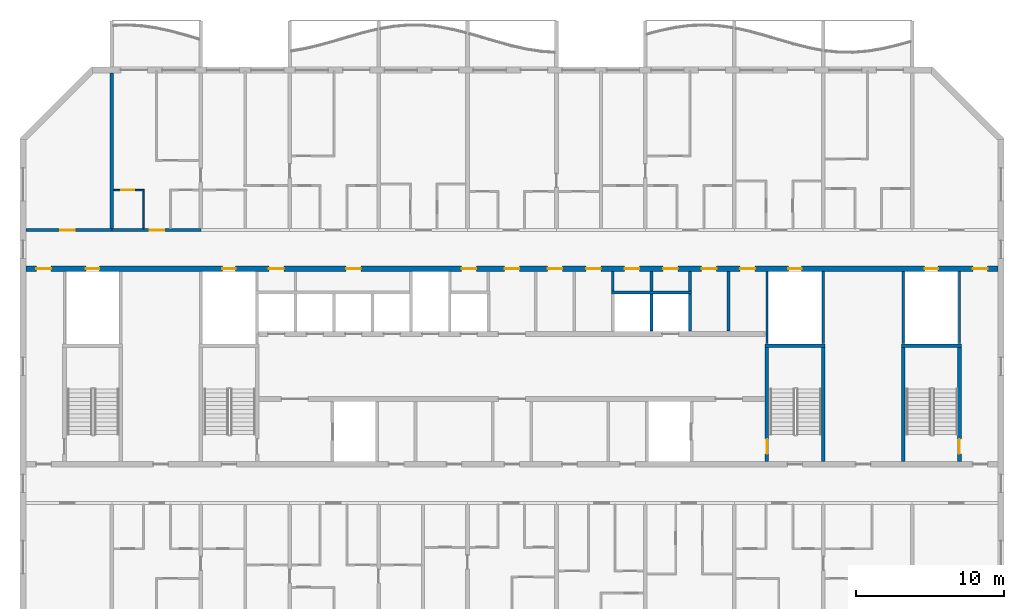
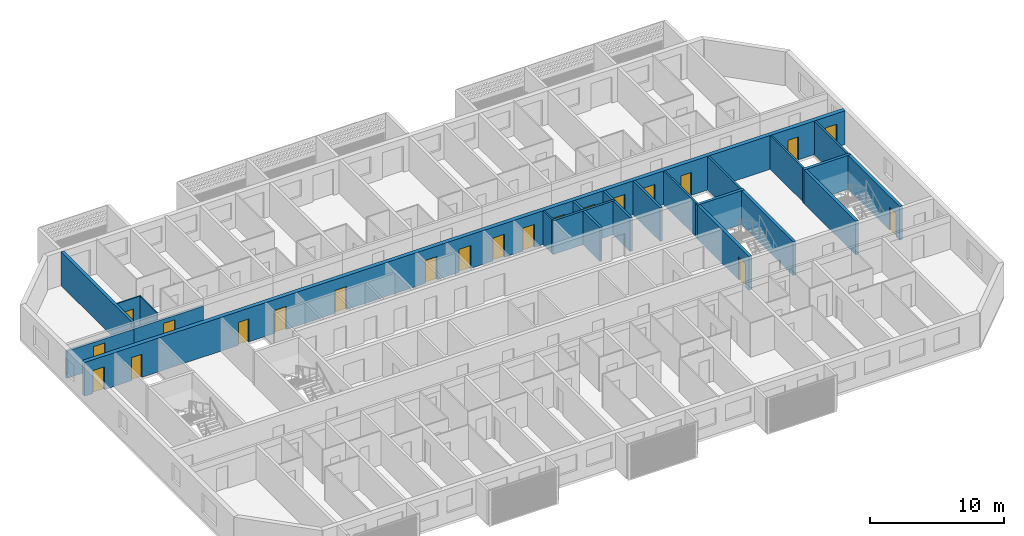
# One storey, part 7 of 29: 23 walls, 21 doors, 21 openings.
"""IFC4 building model written with IfcOpenShell, lengths in metres."""

from ifc_helpers import new_model, si_unit, direction, frame, frame_2d, origin, place, context, subcontext, project, spatial, rectangle, extrude, material, layer, layer_set, type_object, element, fill, save


model = new_model("IFC4")

# Units and contexts
model_context = context("Model", 3, precision=1e-05, world=origin(), true_north=direction((0.0, 1.0)))
body_context = subcontext(model_context, "Body", "Model", "MODEL_VIEW")
ifc_project = project(units=[si_unit("LENGTHUNIT", "METRE"), si_unit("AREAUNIT", "SQUARE_METRE"), si_unit("VOLUMEUNIT", "CUBIC_METRE"), si_unit("PLANEANGLEUNIT", "RADIAN"), si_unit("MASSUNIT", "GRAM", prefix="KILO")], contexts=[model_context])

# Site, building, storey
site_placement = place(None, origin())
site = spatial("IfcSite", under=ifc_project, at=site_placement, CompositionType="ELEMENT")
building_placement = place(site_placement, origin())
building = spatial("IfcBuilding", under=site, at=building_placement, Name="Poui Terraces", CompositionType="ELEMENT")
storey_placement = place(building_placement, frame((0.0, 0.0, 237.89990234375)))
storey = spatial("IfcBuildingStorey", under=building, at=storey_placement, Name="L66", CompositionType="ELEMENT", Elevation=237.89990234375)

# Wall, opening, door
ifc_material_1 = material(Name="Concrete 50 MPa", Category="concrete")
ifc_layer_1 = layer(ifc_material_1, 0.199951171875)
ifc_layer_set_1 = layer_set([ifc_layer_1], Name="Concrete 50 MPa")
wall_type_1 = type_object("IfcWallType", Name="CORRIDOR WALL 200 50MPa", PredefinedType="SHEAR", material=ifc_layer_set_1)
wall_1_placement = place(storey_placement, frame((18.199951171875, 30.39990234375, 0.0), z_axis=(0.0, 0.0, 1.0), x_axis=(1.0, 0.0, 0.0)))
wall_1 = element("IfcWall", 1, at=wall_1_placement, inside=storey, type_object=wall_type_1, Name="CORRIDOR WALL LINE E BAY 1", PredefinedType="SHEAR", context=body_context, shape_type="SweptSolid", body=[
    extrude(rectangle(XDim=5.800048828125, YDim=0.199951171875, at=frame_2d((2.89990234375, 0.0))), origin(), (0.0, 0.0, 1.0), 2.47998046875),
])
opening_1_placement = place(wall_1_placement, frame((2.300048828125, 0.0, 0.0)))
opening_1 = element("IfcOpeningElement", 2, at=opening_1_placement, cuts=wall_1, Name="Opening D100", PredefinedType="OPENING", context=body_context, shape_type="SweptSolid", body=[
    extrude(rectangle(XDim=1.0, YDim=2.10009765625, at=frame_2d((0.5, 1.050048828125))), frame((0.0, 0.10986328125, 0.0), z_axis=(0.0, -1.0, 0.0), x_axis=(1.0, 0.0, 0.0)), (0.0, 0.0, 1.0), 0.219970703125),
])
ifc_material_2 = material(Name="Solid core timber door", Category="wood")
door_type_1 = type_object("IfcDoorType", Name="ACCESSIBLE INTERNAL DOOR 1000 X 2100", OperationType="NOTDEFINED", PredefinedType="DOOR", material=ifc_material_2)
door_1_placement = place(opening_1_placement, origin())
door_1 = element("IfcDoor", 3, at=door_1_placement, inside=storey, type_object=door_type_1, Name="ACCESSIBLE INTERNAL DOOR 028", OperationType="SINGLE_SWING_LEFT", OverallHeight=2.10009765625, OverallWidth=1.0, PredefinedType="DOOR", context=body_context, shape_type="SweptSolid", body=[
    extrude(rectangle(XDim=1.0, YDim=2.10009765625, at=frame_2d((0.5, 1.050048828125))), frame((0.0, 0.02490234375, 0.0), z_axis=(0.0, -1.0, 0.0), x_axis=(1.0, 0.0, 0.0)), (0.0, 0.0, 1.0), 0.050048828125),
])
fill(opening_1, door_1)

wall_2_placement = place(storey_placement, frame((24.0, 30.39990234375, 0.0), z_axis=(0.0, 0.0, 1.0), x_axis=(1.0, 0.0, 0.0)))
wall_2 = element("IfcWall", 4, at=wall_2_placement, inside=storey, type_object=wall_type_1, Name="CORRIDOR WALL LINE E BAY 2", PredefinedType="SHEAR", context=body_context, shape_type="SweptSolid", body=[
    extrude(rectangle(XDim=6.0, YDim=0.199951171875, at=frame_2d((3.0, 0.0))), origin(), (0.0, 0.0, 1.0), 2.47998046875),
])
opening_2_placement = place(wall_2_placement, frame((2.550048828125, 0.0, 0.0)))
opening_2 = element("IfcOpeningElement", 5, at=opening_2_placement, cuts=wall_2, Name="Opening FD30S", PredefinedType="OPENING", context=body_context, shape_type="SweptSolid", body=[
    extrude(rectangle(XDim=1.0, YDim=2.10009765625, at=frame_2d((0.5, 1.050048828125))), frame((0.0, 0.10986328125, 0.0), z_axis=(0.0, -1.0, 0.0), x_axis=(1.0, 0.0, 0.0)), (0.0, 0.0, 1.0), 0.219970703125),
])
ifc_material_3 = material(Name="Steel fire door", Category="steel")
door_type_2 = type_object("IfcDoorType", Name="FLAT ENTRANCE DOOR 1000 X 2100", OperationType="NOTDEFINED", PredefinedType="DOOR", material=ifc_material_3)
door_2_placement = place(opening_2_placement, origin())
door_2 = element("IfcDoor", 6, at=door_2_placement, inside=storey, type_object=door_type_2, Name="FLAT ENTRANCE DOOR 031", OperationType="SINGLE_SWING_RIGHT", OverallHeight=2.10009765625, OverallWidth=1.0, PredefinedType="DOOR", context=body_context, shape_type="SweptSolid", body=[
    extrude(rectangle(XDim=1.0, YDim=2.10009765625, at=frame_2d((0.5, 1.050048828125))), frame((0.0, 0.02490234375, 0.0), z_axis=(0.0, -1.0, 0.0), x_axis=(1.0, 0.0, 0.0)), (0.0, 0.0, 1.0), 0.050048828125),
])
fill(opening_2, door_2)

# Wall
ifc_layer_2 = layer(ifc_material_1, 0.25)
ifc_layer_set_2 = layer_set([ifc_layer_2], Name="Concrete 50 MPa")
wall_type_2 = type_object("IfcWallType", Name="CROSS WALL 250 50MPa", PredefinedType="SHEAR", material=ifc_layer_set_2)
wall_3_placement = place(storey_placement, frame((24.0, 30.5, 0.0), z_axis=(0.0, 0.0, 1.0), x_axis=(0.0, 1.0, 0.0)))
element("IfcWall", 7, at=wall_3_placement, inside=storey, type_object=wall_type_2, Name="CROSS WALL LINE 5 NORTH", PredefinedType="SHEAR", context=body_context, shape_type="SweptSolid", body=[
    extrude(rectangle(XDim=10.5, YDim=0.25, at=frame_2d((5.25, 0.0))), origin(), (0.0, 0.0, 1.0), 3.080078125),
])

# Wall, opening, door
ifc_material_4 = material(Name="Plasterboard partition")
ifc_layer_3 = layer(ifc_material_4, 0.10009765625)
ifc_layer_set_3 = layer_set([ifc_layer_3], Name="Plasterboard partition")
wall_type_3 = type_object("IfcWallType", Name="FLAT PARTITION 100", PredefinedType="PARTITIONING", material=ifc_layer_set_3)
wall_4_placement = place(storey_placement, frame((24.135009765625, 33.10009765625, 0.0), z_axis=(0.0, 0.0, 1.0), x_axis=(1.0, 0.0, 0.0)))
wall_4 = element("IfcWall", 8, at=wall_4_placement, inside=storey, type_object=wall_type_3, Name="FLAT PARTITION 100", PredefinedType="PARTITIONING", context=body_context, shape_type="SweptSolid", body=[
    extrude(rectangle(XDim=2.06494140625, YDim=0.10009765625, at=frame_2d((1.032470703125, 0.0))), origin(), (0.0, 0.0, 1.0), 3.080078125),
])
opening_3_placement = place(wall_4_placement, frame((0.489990234375, 0.0, 0.0)))
opening_3 = element("IfcOpeningElement", 9, at=opening_3_placement, cuts=wall_4, Name="Opening D90", PredefinedType="OPENING", context=body_context, shape_type="SweptSolid", body=[
    extrude(rectangle(XDim=0.89990234375, YDim=2.10009765625, at=frame_2d((0.449951171875, 1.050048828125))), frame((0.0, 0.06005859375, 0.0), z_axis=(0.0, -1.0, 0.0), x_axis=(1.0, 0.0, 0.0)), (0.0, 0.0, 1.0), 0.1201171875),
])
door_type_3 = type_object("IfcDoorType", Name="INTERNAL DOOR 900 X 2100", OperationType="NOTDEFINED", PredefinedType="DOOR", material=ifc_material_2)
door_3_placement = place(opening_3_placement, frame((0.89990234375, 0.0, 0.0), z_axis=(0.0, 0.0, 1.0), x_axis=(-1.0, 0.0, 0.0)))
door_3 = element("IfcDoor", 10, at=door_3_placement, inside=storey, type_object=door_type_3, Name="INTERNAL DOOR 030", OperationType="SINGLE_SWING_LEFT", OverallHeight=2.10009765625, OverallWidth=0.89990234375, PredefinedType="DOOR", context=body_context, shape_type="SweptSolid", body=[
    extrude(rectangle(XDim=0.89990234375, YDim=2.10009765625, at=frame_2d((0.449951171875, 1.050048828125))), frame((0.0, 0.02490234375, 0.0), z_axis=(0.0, -1.0, 0.0), x_axis=(1.0, 0.0, 0.0)), (0.0, 0.0, 1.0), 0.050048828125),
])
fill(opening_3, door_3)

# Walls
wall_5_placement = place(storey_placement, frame((26.14990234375, 30.510009765625, 0.0), z_axis=(0.0, 0.0, 1.0), x_axis=(0.0, 1.0, 0.0)))
element("IfcWall", 11, at=wall_5_placement, inside=storey, type_object=wall_type_3, Name="FLAT PARTITION 100", PredefinedType="PARTITIONING", context=body_context, shape_type="SweptSolid", body=[
    extrude(rectangle(XDim=2.5400390625, YDim=0.10009765625, at=frame_2d((1.27001953125, 0.0))), origin(), (0.0, 0.0, 1.0), 3.080078125),
])
ifc_layer_4 = layer(ifc_material_4, 0.14990234375)
ifc_layer_set_4 = layer_set([ifc_layer_4], Name="Plasterboard partition")
wall_type_4 = type_object("IfcWallType", Name="PARTITION WALL 150", PredefinedType="PARTITIONING", material=ifc_layer_set_4)
wall_6_placement = place(storey_placement, frame((57.800048828125, 26.300048828125, 0.0), z_axis=(0.0, 0.0, 1.0), x_axis=(0.0, 1.0, 0.0)))
element("IfcWall", 12, at=wall_6_placement, inside=storey, type_object=wall_type_4, Name="PARTITION WALL 150", PredefinedType="PARTITIONING", context=body_context, shape_type="SweptSolid", body=[
    extrude(rectangle(XDim=1.31494140625, YDim=0.14990234375, at=frame_2d((0.657470703125, 0.0))), origin(), (0.0, 0.0, 1.0), 3.080078125),
])
ifc_material_5 = material(Name="Fire-rated masonry wall", Category="masonry")
ifc_layer_5 = layer(ifc_material_5, 0.199951171875)
ifc_layer_set_5 = layer_set([ifc_layer_5], Name="Fire-rated masonry wall")
wall_type_5 = type_object("IfcWallType", Name="PLANT ROOM WALL 200", PredefinedType="PARTITIONING", material=ifc_layer_set_5)
for number, where, z_axis, x_axis, name in (
    (13, (60.39990234375, 26.300048828125, 0.0), (0.0, 0.0, 1.0), (0.0, 1.0, 0.0), "PLANT ROOM WALL 200"),
    (14, (63.0, 26.300048828125, 0.0), (0.0, 0.0, 1.0), (0.0, 1.0, 0.0), "PLANT ROOM WALL 200"),
):
    element("IfcWall", number, at=place(storey_placement, frame(where, z_axis=z_axis, x_axis=x_axis)), inside=storey, type_object=wall_type_5, Name=name, PredefinedType="PARTITIONING", context=body_context, shape_type="SweptSolid", body=[
        extrude(rectangle(XDim=1.31494140625, YDim=0.199951171875, at=frame_2d((0.657470703125, 0.0))), origin(), (0.0, 0.0, 1.0), 3.080078125),
    ])
wall_7_placement = place(storey_placement, frame((65.60009765625, 23.5849609375, 0.0), z_axis=(0.0, 0.0, 1.0), x_axis=(0.0, 1.0, 0.0)))
element("IfcWall", 15, at=wall_7_placement, inside=storey, type_object=wall_type_5, Name="PLANT ROOM WALL 200", PredefinedType="PARTITIONING", context=body_context, shape_type="SweptSolid", body=[
    extrude(rectangle(XDim=4.030029296875, YDim=0.199951171875, at=frame_2d((2.01513671875, 0.0))), origin(), (0.0, 0.0, 1.0), 3.080078125),
])
ifc_material_6 = material(Name="Fire-rated plasterboard riser wall")
ifc_layer_6 = layer(ifc_material_6, 0.14990234375)
ifc_layer_set_6 = layer_set([ifc_layer_6], Name="Fire-rated plasterboard riser wall")
wall_type_6 = type_object("IfcWallType", Name="RISER WALL 150", PredefinedType="PARTITIONING", material=ifc_layer_set_6)
for number, where, z_axis, x_axis, name in (
    (16, (68.199951171875, 22.735107421875, 0.0), (0.0, 0.0, 1.0), (0.0, 1.0, 0.0), "RISER WALL 150"),
    (17, (72.0, 22.735107421875, 0.0), (0.0, 0.0, 1.0), (0.0, 1.0, 0.0), "RISER WALL 150"),
    (18, (77.39990234375, 22.735107421875, 0.0), (0.0, 0.0, 1.0), (0.0, 1.0, 0.0), "RISER WALL 150"),
    (19, (81.199951171875, 22.735107421875, 0.0), (0.0, 0.0, 1.0), (0.0, 1.0, 0.0), "RISER WALL 150"),
):
    element("IfcWall", number, at=place(storey_placement, frame(where, z_axis=z_axis, x_axis=x_axis)), inside=storey, type_object=wall_type_6, Name=name, PredefinedType="PARTITIONING", context=body_context, shape_type="SweptSolid", body=[
        extrude(rectangle(XDim=4.8798828125, YDim=0.14990234375, at=frame_2d((2.43994140625, 0.0))), origin(), (0.0, 0.0, 1.0), 3.080078125),
    ])
ifc_material_7 = material(Name="Fire-rated masonry shaft wall", Category="masonry")
ifc_layer_7 = layer(ifc_material_7, 0.199951171875)
ifc_layer_set_7 = layer_set([ifc_layer_7], Name="Fire-rated masonry shaft wall")
wall_type_7 = type_object("IfcWallType", Name="SHAFT WALL 200", PredefinedType="PARTITIONING", material=ifc_layer_set_7)
wall_8_placement = place(storey_placement, frame((57.699951171875, 26.199951171875, 0.0), z_axis=(0.0, 0.0, 1.0), x_axis=(1.0, 0.0, 0.0)))
element("IfcWall", 20, at=wall_8_placement, inside=storey, type_object=wall_type_7, Name="SHAFT WALL 200", PredefinedType="PARTITIONING", context=body_context, shape_type="SweptSolid", body=[
    extrude(rectangle(XDim=5.400146484375, YDim=0.199951171875, at=frame_2d((2.7001953125, 0.0))), origin(), (0.0, 0.0, 1.0), 3.080078125),
])
for number, where, z_axis, x_axis, name in (
    (21, (60.39990234375, 23.5849609375, 0.0), (0.0, 0.0, 1.0), (0.0, 1.0, 0.0), "SHAFT WALL 200"),
    (22, (63.0, 23.5849609375, 0.0), (0.0, 0.0, 1.0), (0.0, 1.0, 0.0), "SHAFT WALL 200"),
):
    element("IfcWall", number, at=place(storey_placement, frame(where, z_axis=z_axis, x_axis=x_axis)), inside=storey, type_object=wall_type_7, Name=name, PredefinedType="PARTITIONING", context=body_context, shape_type="SweptSolid", body=[
        extrude(rectangle(XDim=2.51513671875, YDim=0.199951171875, at=frame_2d((1.257568359375, 0.0))), origin(), (0.0, 0.0, 1.0), 3.080078125),
    ])

# Wall, openings, doors
ifc_layer_8 = layer(ifc_material_1, 0.35009765625)
ifc_layer_set_8 = layer_set([ifc_layer_8], Name="Concrete 50 MPa")
wall_type_8 = type_object("IfcWallType", Name="SPINE WALL 350 50 MPA", PredefinedType="SOLIDWALL", material=ifc_layer_set_8)
wall_9_placement = place(storey_placement, frame((18.199951171875, 27.800048828125, 0.0), z_axis=(0.0, 0.0, 1.0), x_axis=(1.0, 0.0, 0.0)))
wall_9 = element("IfcWall", 23, at=wall_9_placement, inside=storey, type_object=wall_type_8, Name="SPINE WALL", PredefinedType="SOLIDWALL", context=body_context, shape_type="SweptSolid", body=[
    extrude(rectangle(XDim=65.60009765625, YDim=0.35009765625, at=frame_2d((32.800048828125, 0.0))), origin(), (0.0, 0.0, 1.0), 3.080078125),
])
opening_4_placement = place(wall_9_placement, frame((0.699951171875, 0.0, 0.0)))
opening_4 = element("IfcOpeningElement", 24, at=opening_4_placement, cuts=wall_9, Name="Opening FDL", PredefinedType="OPENING", context=body_context, shape_type="SweptSolid", body=[
    extrude(rectangle(XDim=1.0, YDim=2.10009765625, at=frame_2d((0.5, 1.050048828125))), frame((0.0, 0.18505859375, 0.0), z_axis=(0.0, -1.0, 0.0), x_axis=(1.0, 0.0, 0.0)), (0.0, 0.0, 1.0), 0.3701171875),
])
opening_5_placement = place(wall_9_placement, frame((4.050048828125, 0.0, 0.0)))
opening_5 = element("IfcOpeningElement", 25, at=opening_5_placement, cuts=wall_9, Name="Opening FDR", PredefinedType="OPENING", context=body_context, shape_type="SweptSolid", body=[
    extrude(rectangle(XDim=0.89990234375, YDim=2.10009765625, at=frame_2d((0.449951171875, 1.050048828125))), frame((0.0, 0.18505859375, 0.0), z_axis=(0.0, -1.0, 0.0), x_axis=(1.0, 0.0, 0.0)), (0.0, 0.0, 1.0), 0.3701171875),
])
opening_6_placement = place(wall_9_placement, frame((13.25, 0.0, 0.0)))
opening_6 = element("IfcOpeningElement", 26, at=opening_6_placement, cuts=wall_9, Name="Opening FDR", PredefinedType="OPENING", context=body_context, shape_type="SweptSolid", body=[
    extrude(rectangle(XDim=0.89990234375, YDim=2.10009765625, at=frame_2d((0.449951171875, 1.050048828125))), frame((0.0, 0.18505859375, 0.0), z_axis=(0.0, -1.0, 0.0), x_axis=(1.0, 0.0, 0.0)), (0.0, 0.0, 1.0), 0.3701171875),
])
opening_7_placement = place(wall_9_placement, frame((16.39990234375, 0.0, 0.0)))
opening_7 = element("IfcOpeningElement", 27, at=opening_7_placement, cuts=wall_9, Name="Opening FD60", PredefinedType="OPENING", context=body_context, shape_type="SweptSolid", body=[
    extrude(rectangle(XDim=1.0, YDim=2.10009765625, at=frame_2d((0.5, 1.050048828125))), frame((0.0, 0.18505859375, 0.0), z_axis=(0.0, -1.0, 0.0), x_axis=(1.0, 0.0, 0.0)), (0.0, 0.0, 1.0), 0.3701171875),
])
opening_8_placement = place(wall_9_placement, frame((21.60009765625, 0.0, 0.0)))
opening_8 = element("IfcOpeningElement", 28, at=opening_8_placement, cuts=wall_9, Name="Opening FD60", PredefinedType="OPENING", context=body_context, shape_type="SweptSolid", body=[
    extrude(rectangle(XDim=1.0, YDim=2.10009765625, at=frame_2d((0.5, 1.050048828125))), frame((0.0, 0.18505859375, 0.0), z_axis=(0.0, -1.0, 0.0), x_axis=(1.0, 0.0, 0.0)), (0.0, 0.0, 1.0), 0.3701171875),
])
opening_9_placement = place(wall_9_placement, frame((29.39990234375, 0.0, 0.0)))
opening_9 = element("IfcOpeningElement", 29, at=opening_9_placement, cuts=wall_9, Name="Opening FD60", PredefinedType="OPENING", context=body_context, shape_type="SweptSolid", body=[
    extrude(rectangle(XDim=1.0, YDim=2.10009765625, at=frame_2d((0.5, 1.050048828125))), frame((0.0, 0.18505859375, 0.0), z_axis=(0.0, -1.0, 0.0), x_axis=(1.0, 0.0, 0.0)), (0.0, 0.0, 1.0), 0.3701171875),
])
opening_10_placement = place(wall_9_placement, frame((32.300048828125, 0.0, 0.0)))
opening_10 = element("IfcOpeningElement", 30, at=opening_10_placement, cuts=wall_9, Name="Opening FDL", PredefinedType="OPENING", context=body_context, shape_type="SweptSolid", body=[
    extrude(rectangle(XDim=1.0, YDim=2.10009765625, at=frame_2d((0.5, 1.050048828125))), frame((0.0, 0.18505859375, 0.0), z_axis=(0.0, -1.0, 0.0), x_axis=(1.0, 0.0, 0.0)), (0.0, 0.0, 1.0), 0.3701171875),
])
opening_11_placement = place(wall_9_placement, frame((35.199951171875, 0.0, 0.0)))
opening_11 = element("IfcOpeningElement", 31, at=opening_11_placement, cuts=wall_9, Name="Opening FD60", PredefinedType="OPENING", context=body_context, shape_type="SweptSolid", body=[
    extrude(rectangle(XDim=1.0, YDim=2.10009765625, at=frame_2d((0.5, 1.050048828125))), frame((0.0, 0.18505859375, 0.0), z_axis=(0.0, -1.0, 0.0), x_axis=(1.0, 0.0, 0.0)), (0.0, 0.0, 1.0), 0.3701171875),
])
opening_12_placement = place(wall_9_placement, frame((37.800048828125, 0.0, 0.0)))
opening_12 = element("IfcOpeningElement", 32, at=opening_12_placement, cuts=wall_9, Name="Opening FD60", PredefinedType="OPENING", context=body_context, shape_type="SweptSolid", body=[
    extrude(rectangle(XDim=1.0, YDim=2.10009765625, at=frame_2d((0.5, 1.050048828125))), frame((0.0, 0.18505859375, 0.0), z_axis=(0.0, -1.0, 0.0), x_axis=(1.0, 0.0, 0.0)), (0.0, 0.0, 1.0), 0.3701171875),
])
opening_13_placement = place(wall_9_placement, frame((40.39990234375, 0.0, 0.0)))
opening_13 = element("IfcOpeningElement", 33, at=opening_13_placement, cuts=wall_9, Name="Opening FD60", PredefinedType="OPENING", context=body_context, shape_type="SweptSolid", body=[
    extrude(rectangle(XDim=1.0, YDim=2.10009765625, at=frame_2d((0.5, 1.050048828125))), frame((0.0, 0.18505859375, 0.0), z_axis=(0.0, -1.0, 0.0), x_axis=(1.0, 0.0, 0.0)), (0.0, 0.0, 1.0), 0.3701171875),
])
opening_14_placement = place(wall_9_placement, frame((43.0, 0.0, 0.0)))
opening_14 = element("IfcOpeningElement", 34, at=opening_14_placement, cuts=wall_9, Name="Opening FD60", PredefinedType="OPENING", context=body_context, shape_type="SweptSolid", body=[
    extrude(rectangle(XDim=1.0, YDim=2.10009765625, at=frame_2d((0.5, 1.050048828125))), frame((0.0, 0.18505859375, 0.0), z_axis=(0.0, -1.0, 0.0), x_axis=(1.0, 0.0, 0.0)), (0.0, 0.0, 1.0), 0.3701171875),
])
opening_15_placement = place(wall_9_placement, frame((45.60009765625, 0.0, 0.0)))
opening_15 = element("IfcOpeningElement", 35, at=opening_15_placement, cuts=wall_9, Name="Opening FD60", PredefinedType="OPENING", context=body_context, shape_type="SweptSolid", body=[
    extrude(rectangle(XDim=1.0, YDim=2.10009765625, at=frame_2d((0.5, 1.050048828125))), frame((0.0, 0.18505859375, 0.0), z_axis=(0.0, -1.0, 0.0), x_axis=(1.0, 0.0, 0.0)), (0.0, 0.0, 1.0), 0.3701171875),
])
opening_16_placement = place(wall_9_placement, frame((48.199951171875, 0.0, 0.0)))
opening_16 = element("IfcOpeningElement", 36, at=opening_16_placement, cuts=wall_9, Name="Opening FD60", PredefinedType="OPENING", context=body_context, shape_type="SweptSolid", body=[
    extrude(rectangle(XDim=1.0, YDim=2.10009765625, at=frame_2d((0.5, 1.050048828125))), frame((0.0, 0.18505859375, 0.0), z_axis=(0.0, -1.0, 0.0), x_axis=(1.0, 0.0, 0.0)), (0.0, 0.0, 1.0), 0.3701171875),
])
opening_17_placement = place(wall_9_placement, frame((51.449951171875, 0.0, 0.0)))
opening_17 = element("IfcOpeningElement", 37, at=opening_17_placement, cuts=wall_9, Name="Opening FDR", PredefinedType="OPENING", context=body_context, shape_type="SweptSolid", body=[
    extrude(rectangle(XDim=0.89990234375, YDim=2.10009765625, at=frame_2d((0.449951171875, 1.050048828125))), frame((0.0, 0.18505859375, 0.0), z_axis=(0.0, -1.0, 0.0), x_axis=(1.0, 0.0, 0.0)), (0.0, 0.0, 1.0), 0.3701171875),
])
opening_18_placement = place(wall_9_placement, frame((60.64990234375, 0.0, 0.0)))
opening_18 = element("IfcOpeningElement", 38, at=opening_18_placement, cuts=wall_9, Name="Opening FDR", PredefinedType="OPENING", context=body_context, shape_type="SweptSolid", body=[
    extrude(rectangle(XDim=0.89990234375, YDim=2.10009765625, at=frame_2d((0.449951171875, 1.050048828125))), frame((0.0, 0.18505859375, 0.0), z_axis=(0.0, -1.0, 0.0), x_axis=(1.0, 0.0, 0.0)), (0.0, 0.0, 1.0), 0.3701171875),
])
opening_19_placement = place(wall_9_placement, frame((63.89990234375, 0.0, 0.0)))
opening_19 = element("IfcOpeningElement", 39, at=opening_19_placement, cuts=wall_9, Name="Opening FDL", PredefinedType="OPENING", context=body_context, shape_type="SweptSolid", body=[
    extrude(rectangle(XDim=1.0, YDim=2.10009765625, at=frame_2d((0.5, 1.050048828125))), frame((0.0, 0.18505859375, 0.0), z_axis=(0.0, -1.0, 0.0), x_axis=(1.0, 0.0, 0.0)), (0.0, 0.0, 1.0), 0.3701171875),
])
door_type_4 = type_object("IfcDoorType", Name="LOBBY FIRE DOOR 1000 X 2100", OperationType="NOTDEFINED", PredefinedType="DOOR", material=ifc_material_3)
door_4_placement = place(opening_4_placement, origin())
door_4 = element("IfcDoor", 40, at=door_4_placement, inside=storey, type_object=door_type_4, Name="LOBBY FIRE DOOR 001", OperationType="SINGLE_SWING_LEFT", OverallHeight=2.10009765625, OverallWidth=1.0, PredefinedType="DOOR", context=body_context, shape_type="SweptSolid", body=[
    extrude(rectangle(XDim=1.0, YDim=2.10009765625, at=frame_2d((0.5, 1.050048828125))), frame((0.0, 0.02490234375, 0.0), z_axis=(0.0, -1.0, 0.0), x_axis=(1.0, 0.0, 0.0)), (0.0, 0.0, 1.0), 0.050048828125),
])
fill(opening_4, door_4)
door_5_placement = place(opening_10_placement, origin())
door_5 = element("IfcDoor", 41, at=door_5_placement, inside=storey, type_object=door_type_4, Name="LOBBY FIRE DOOR 007", OperationType="SINGLE_SWING_RIGHT", OverallHeight=2.10009765625, OverallWidth=1.0, PredefinedType="DOOR", context=body_context, shape_type="SweptSolid", body=[
    extrude(rectangle(XDim=1.0, YDim=2.10009765625, at=frame_2d((0.5, 1.050048828125))), frame((0.0, 0.02490234375, 0.0), z_axis=(0.0, -1.0, 0.0), x_axis=(1.0, 0.0, 0.0)), (0.0, 0.0, 1.0), 0.050048828125),
])
fill(opening_10, door_5)
door_6_placement = place(opening_19_placement, origin())
door_6 = element("IfcDoor", 42, at=door_6_placement, inside=storey, type_object=door_type_4, Name="LOBBY FIRE DOOR 016", OperationType="SINGLE_SWING_RIGHT", OverallHeight=2.10009765625, OverallWidth=1.0, PredefinedType="DOOR", context=body_context, shape_type="SweptSolid", body=[
    extrude(rectangle(XDim=1.0, YDim=2.10009765625, at=frame_2d((0.5, 1.050048828125))), frame((0.0, 0.02490234375, 0.0), z_axis=(0.0, -1.0, 0.0), x_axis=(1.0, 0.0, 0.0)), (0.0, 0.0, 1.0), 0.050048828125),
])
fill(opening_19, door_6)
door_type_5 = type_object("IfcDoorType", Name="RISER CUPBOARD DOOR 900 X 2100", OperationType="NOTDEFINED", PredefinedType="DOOR", material=ifc_material_3)
door_7_placement = place(opening_5_placement, origin())
door_7 = element("IfcDoor", 43, at=door_7_placement, inside=storey, type_object=door_type_5, Name="RISER CUPBOARD DOOR 002", OperationType="SINGLE_SWING_LEFT", OverallHeight=2.10009765625, OverallWidth=0.89990234375, PredefinedType="DOOR", context=body_context, shape_type="SweptSolid", body=[
    extrude(rectangle(XDim=0.89990234375, YDim=2.10009765625, at=frame_2d((0.449951171875, 1.050048828125))), frame((0.0, 0.02490234375, 0.0), z_axis=(0.0, -1.0, 0.0), x_axis=(1.0, 0.0, 0.0)), (0.0, 0.0, 1.0), 0.050048828125),
])
fill(opening_5, door_7)
door_8_placement = place(opening_6_placement, origin())
door_8 = element("IfcDoor", 44, at=door_8_placement, inside=storey, type_object=door_type_5, Name="RISER CUPBOARD DOOR 003", OperationType="SINGLE_SWING_LEFT", OverallHeight=2.10009765625, OverallWidth=0.89990234375, PredefinedType="DOOR", context=body_context, shape_type="SweptSolid", body=[
    extrude(rectangle(XDim=0.89990234375, YDim=2.10009765625, at=frame_2d((0.449951171875, 1.050048828125))), frame((0.0, 0.02490234375, 0.0), z_axis=(0.0, -1.0, 0.0), x_axis=(1.0, 0.0, 0.0)), (0.0, 0.0, 1.0), 0.050048828125),
])
fill(opening_6, door_8)
door_9_placement = place(opening_17_placement, origin())
door_9 = element("IfcDoor", 45, at=door_9_placement, inside=storey, type_object=door_type_5, Name="RISER CUPBOARD DOOR 014", OperationType="SINGLE_SWING_RIGHT", OverallHeight=2.10009765625, OverallWidth=0.89990234375, PredefinedType="DOOR", context=body_context, shape_type="SweptSolid", body=[
    extrude(rectangle(XDim=0.89990234375, YDim=2.10009765625, at=frame_2d((0.449951171875, 1.050048828125))), frame((0.0, 0.02490234375, 0.0), z_axis=(0.0, -1.0, 0.0), x_axis=(1.0, 0.0, 0.0)), (0.0, 0.0, 1.0), 0.050048828125),
])
fill(opening_17, door_9)
door_10_placement = place(opening_18_placement, origin())
door_10 = element("IfcDoor", 46, at=door_10_placement, inside=storey, type_object=door_type_5, Name="RISER CUPBOARD DOOR 015", OperationType="SINGLE_SWING_RIGHT", OverallHeight=2.10009765625, OverallWidth=0.89990234375, PredefinedType="DOOR", context=body_context, shape_type="SweptSolid", body=[
    extrude(rectangle(XDim=0.89990234375, YDim=2.10009765625, at=frame_2d((0.449951171875, 1.050048828125))), frame((0.0, 0.02490234375, 0.0), z_axis=(0.0, -1.0, 0.0), x_axis=(1.0, 0.0, 0.0)), (0.0, 0.0, 1.0), 0.050048828125),
])
fill(opening_18, door_10)
door_type_6 = type_object("IfcDoorType", Name="SERVICE ROOM FIRE DOOR 1000 X 2100", OperationType="NOTDEFINED", PredefinedType="DOOR", material=ifc_material_3)
door_11_placement = place(opening_7_placement, origin())
door_11 = element("IfcDoor", 47, at=door_11_placement, inside=storey, type_object=door_type_6, Name="SERVICE ROOM FIRE DOOR 004", OperationType="SINGLE_SWING_LEFT", OverallHeight=2.10009765625, OverallWidth=1.0, PredefinedType="DOOR", context=body_context, shape_type="SweptSolid", body=[
    extrude(rectangle(XDim=1.0, YDim=2.10009765625, at=frame_2d((0.5, 1.050048828125))), frame((0.0, 0.02490234375, 0.0), z_axis=(0.0, -1.0, 0.0), x_axis=(1.0, 0.0, 0.0)), (0.0, 0.0, 1.0), 0.050048828125),
])
fill(opening_7, door_11)
door_12_placement = place(opening_8_placement, origin())
door_12 = element("IfcDoor", 48, at=door_12_placement, inside=storey, type_object=door_type_6, Name="SERVICE ROOM FIRE DOOR 005", OperationType="SINGLE_SWING_RIGHT", OverallHeight=2.10009765625, OverallWidth=1.0, PredefinedType="DOOR", context=body_context, shape_type="SweptSolid", body=[
    extrude(rectangle(XDim=1.0, YDim=2.10009765625, at=frame_2d((0.5, 1.050048828125))), frame((0.0, 0.02490234375, 0.0), z_axis=(0.0, -1.0, 0.0), x_axis=(1.0, 0.0, 0.0)), (0.0, 0.0, 1.0), 0.050048828125),
])
fill(opening_8, door_12)
door_13_placement = place(opening_9_placement, origin())
door_13 = element("IfcDoor", 49, at=door_13_placement, inside=storey, type_object=door_type_6, Name="SERVICE ROOM FIRE DOOR 006", OperationType="SINGLE_SWING_LEFT", OverallHeight=2.10009765625, OverallWidth=1.0, PredefinedType="DOOR", context=body_context, shape_type="SweptSolid", body=[
    extrude(rectangle(XDim=1.0, YDim=2.10009765625, at=frame_2d((0.5, 1.050048828125))), frame((0.0, 0.02490234375, 0.0), z_axis=(0.0, -1.0, 0.0), x_axis=(1.0, 0.0, 0.0)), (0.0, 0.0, 1.0), 0.050048828125),
])
fill(opening_9, door_13)
door_14_placement = place(opening_11_placement, origin())
door_14 = element("IfcDoor", 50, at=door_14_placement, inside=storey, type_object=door_type_6, Name="SERVICE ROOM FIRE DOOR 008", OperationType="SINGLE_SWING_RIGHT", OverallHeight=2.10009765625, OverallWidth=1.0, PredefinedType="DOOR", context=body_context, shape_type="SweptSolid", body=[
    extrude(rectangle(XDim=1.0, YDim=2.10009765625, at=frame_2d((0.5, 1.050048828125))), frame((0.0, 0.02490234375, 0.0), z_axis=(0.0, -1.0, 0.0), x_axis=(1.0, 0.0, 0.0)), (0.0, 0.0, 1.0), 0.050048828125),
])
fill(opening_11, door_14)
door_15_placement = place(opening_12_placement, origin())
door_15 = element("IfcDoor", 51, at=door_15_placement, inside=storey, type_object=door_type_6, Name="SERVICE ROOM FIRE DOOR 009", OperationType="SINGLE_SWING_LEFT", OverallHeight=2.10009765625, OverallWidth=1.0, PredefinedType="DOOR", context=body_context, shape_type="SweptSolid", body=[
    extrude(rectangle(XDim=1.0, YDim=2.10009765625, at=frame_2d((0.5, 1.050048828125))), frame((0.0, 0.02490234375, 0.0), z_axis=(0.0, -1.0, 0.0), x_axis=(1.0, 0.0, 0.0)), (0.0, 0.0, 1.0), 0.050048828125),
])
fill(opening_12, door_15)
door_16_placement = place(opening_13_placement, origin())
door_16 = element("IfcDoor", 52, at=door_16_placement, inside=storey, type_object=door_type_6, Name="SERVICE ROOM FIRE DOOR 010", OperationType="SINGLE_SWING_RIGHT", OverallHeight=2.10009765625, OverallWidth=1.0, PredefinedType="DOOR", context=body_context, shape_type="SweptSolid", body=[
    extrude(rectangle(XDim=1.0, YDim=2.10009765625, at=frame_2d((0.5, 1.050048828125))), frame((0.0, 0.02490234375, 0.0), z_axis=(0.0, -1.0, 0.0), x_axis=(1.0, 0.0, 0.0)), (0.0, 0.0, 1.0), 0.050048828125),
])
fill(opening_13, door_16)
door_17_placement = place(opening_14_placement, origin())
door_17 = element("IfcDoor", 53, at=door_17_placement, inside=storey, type_object=door_type_6, Name="SERVICE ROOM FIRE DOOR 011", OperationType="SINGLE_SWING_LEFT", OverallHeight=2.10009765625, OverallWidth=1.0, PredefinedType="DOOR", context=body_context, shape_type="SweptSolid", body=[
    extrude(rectangle(XDim=1.0, YDim=2.10009765625, at=frame_2d((0.5, 1.050048828125))), frame((0.0, 0.02490234375, 0.0), z_axis=(0.0, -1.0, 0.0), x_axis=(1.0, 0.0, 0.0)), (0.0, 0.0, 1.0), 0.050048828125),
])
fill(opening_14, door_17)
door_18_placement = place(opening_15_placement, origin())
door_18 = element("IfcDoor", 54, at=door_18_placement, inside=storey, type_object=door_type_6, Name="SERVICE ROOM FIRE DOOR 012", OperationType="SINGLE_SWING_RIGHT", OverallHeight=2.10009765625, OverallWidth=1.0, PredefinedType="DOOR", context=body_context, shape_type="SweptSolid", body=[
    extrude(rectangle(XDim=1.0, YDim=2.10009765625, at=frame_2d((0.5, 1.050048828125))), frame((0.0, 0.02490234375, 0.0), z_axis=(0.0, -1.0, 0.0), x_axis=(1.0, 0.0, 0.0)), (0.0, 0.0, 1.0), 0.050048828125),
])
fill(opening_15, door_18)
door_19_placement = place(opening_16_placement, origin())
door_19 = element("IfcDoor", 55, at=door_19_placement, inside=storey, type_object=door_type_6, Name="SERVICE ROOM FIRE DOOR 013", OperationType="SINGLE_SWING_LEFT", OverallHeight=2.10009765625, OverallWidth=1.0, PredefinedType="DOOR", context=body_context, shape_type="SweptSolid", body=[
    extrude(rectangle(XDim=1.0, YDim=2.10009765625, at=frame_2d((0.5, 1.050048828125))), frame((0.0, 0.02490234375, 0.0), z_axis=(0.0, -1.0, 0.0), x_axis=(1.0, 0.0, 0.0)), (0.0, 0.0, 1.0), 0.050048828125),
])
fill(opening_16, door_19)

# Wall, opening, door
ifc_layer_9 = layer(ifc_material_1, 0.25)
ifc_layer_set_9 = layer_set([ifc_layer_9], Name="Concrete 50 MPa")
wall_type_9 = type_object("IfcWallType", Name="STAIR CORE WALL 250 50 MPA", PredefinedType="SOLIDWALL", material=ifc_layer_set_9)
wall_10_placement = place(storey_placement, frame((68.199951171875, 14.77490234375, 0.0), z_axis=(0.0, 0.0, 1.0), x_axis=(0.0, 1.0, 0.0)))
wall_10 = element("IfcWall", 56, at=wall_10_placement, inside=storey, type_object=wall_type_9, Name="STAIR CORE WALL", PredefinedType="SOLIDWALL", context=body_context, shape_type="SweptSolid", body=[
    extrude(rectangle(XDim=7.7001953125, YDim=0.25, at=frame_2d((3.85009765625, 0.0))), origin(), (0.0, 0.0, 1.0), 3.080078125),
])
opening_20_placement = place(wall_10_placement, frame((0.52490234375, 0.0, 0.0)))
opening_20 = element("IfcOpeningElement", 57, at=opening_20_placement, cuts=wall_10, Name="Opening FD60S", PredefinedType="OPENING", context=body_context, shape_type="SweptSolid", body=[
    extrude(rectangle(XDim=1.0, YDim=2.10009765625, at=frame_2d((0.5, 1.050048828125))), frame((0.0, 0.135009765625, 0.0), z_axis=(0.0, -1.0, 0.0), x_axis=(1.0, 0.0, 0.0)), (0.0, 0.0, 1.0), 0.27001953125),
])
door_type_7 = type_object("IfcDoorType", Name="STAIR DOOR 1000 X 2100", OperationType="NOTDEFINED", PredefinedType="DOOR", material=ifc_material_3)
door_20_placement = place(opening_20_placement, frame((1.0, 0.0, 0.0), z_axis=(0.0, 0.0, 1.0), x_axis=(-1.0, 0.0, 0.0)))
door_20 = element("IfcDoor", 58, at=door_20_placement, inside=storey, type_object=door_type_7, Name="STAIR DOOR 101", OperationType="SINGLE_SWING_LEFT", OverallHeight=2.10009765625, OverallWidth=1.0, PredefinedType="DOOR", context=body_context, shape_type="SweptSolid", body=[
    extrude(rectangle(XDim=1.0, YDim=2.10009765625, at=frame_2d((0.5, 1.050048828125))), frame((0.0, 0.02490234375, 0.0), z_axis=(0.0, -1.0, 0.0), x_axis=(1.0, 0.0, 0.0)), (0.0, 0.0, 1.0), 0.050048828125),
])
fill(opening_20, door_20)

# Walls
wall_11_placement = place(storey_placement, frame((72.0, 14.77490234375, 0.0), z_axis=(0.0, 0.0, 1.0), x_axis=(0.0, 1.0, 0.0)))
element("IfcWall", 59, at=wall_11_placement, inside=storey, type_object=wall_type_9, Name="STAIR CORE WALL", PredefinedType="SOLIDWALL", context=body_context, shape_type="SweptSolid", body=[
    extrude(rectangle(XDim=7.7001953125, YDim=0.25, at=frame_2d((3.85009765625, 0.0))), origin(), (0.0, 0.0, 1.0), 3.080078125),
])
wall_12_placement = place(storey_placement, frame((68.074951171875, 22.60009765625, 0.0), z_axis=(0.0, 0.0, 1.0), x_axis=(1.0, 0.0, 0.0)))
element("IfcWall", 60, at=wall_12_placement, inside=storey, type_object=wall_type_9, Name="STAIR CORE WALL", PredefinedType="SOLIDWALL", context=body_context, shape_type="SweptSolid", body=[
    extrude(rectangle(XDim=4.050048828125, YDim=0.25, at=frame_2d((2.02490234375, 0.0))), origin(), (0.0, 0.0, 1.0), 3.080078125),
])
wall_13_placement = place(storey_placement, frame((77.39990234375, 14.77490234375, 0.0), z_axis=(0.0, 0.0, 1.0), x_axis=(0.0, 1.0, 0.0)))
element("IfcWall", 61, at=wall_13_placement, inside=storey, type_object=wall_type_9, Name="STAIR CORE WALL", PredefinedType="SOLIDWALL", context=body_context, shape_type="SweptSolid", body=[
    extrude(rectangle(XDim=7.7001953125, YDim=0.25, at=frame_2d((3.85009765625, 0.0))), origin(), (0.0, 0.0, 1.0), 3.080078125),
])

# Wall, opening, door
wall_14_placement = place(storey_placement, frame((81.199951171875, 14.77490234375, 0.0), z_axis=(0.0, 0.0, 1.0), x_axis=(0.0, 1.0, 0.0)))
wall_14 = element("IfcWall", 62, at=wall_14_placement, inside=storey, type_object=wall_type_9, Name="STAIR CORE WALL", PredefinedType="SOLIDWALL", context=body_context, shape_type="SweptSolid", body=[
    extrude(rectangle(XDim=7.7001953125, YDim=0.25, at=frame_2d((3.85009765625, 0.0))), origin(), (0.0, 0.0, 1.0), 3.080078125),
])
opening_21_placement = place(wall_14_placement, frame((0.52490234375, 0.0, 0.0)))
opening_21 = element("IfcOpeningElement", 63, at=opening_21_placement, cuts=wall_14, Name="Opening FD60S", PredefinedType="OPENING", context=body_context, shape_type="SweptSolid", body=[
    extrude(rectangle(XDim=1.0, YDim=2.10009765625, at=frame_2d((0.5, 1.050048828125))), frame((0.0, 0.135009765625, 0.0), z_axis=(0.0, -1.0, 0.0), x_axis=(1.0, 0.0, 0.0)), (0.0, 0.0, 1.0), 0.27001953125),
])
door_21_placement = place(opening_21_placement, origin())
door_21 = element("IfcDoor", 64, at=door_21_placement, inside=storey, type_object=door_type_7, Name="STAIR DOOR 115", OperationType="SINGLE_SWING_LEFT", OverallHeight=2.10009765625, OverallWidth=1.0, PredefinedType="DOOR", context=body_context, shape_type="SweptSolid", body=[
    extrude(rectangle(XDim=1.0, YDim=2.10009765625, at=frame_2d((0.5, 1.050048828125))), frame((0.0, 0.02490234375, 0.0), z_axis=(0.0, -1.0, 0.0), x_axis=(1.0, 0.0, 0.0)), (0.0, 0.0, 1.0), 0.050048828125),
])
fill(opening_21, door_21)

# Wall
wall_15_placement = place(storey_placement, frame((77.27490234375, 22.60009765625, 0.0), z_axis=(0.0, 0.0, 1.0), x_axis=(1.0, 0.0, 0.0)))
element("IfcWall", 65, at=wall_15_placement, inside=storey, type_object=wall_type_9, Name="STAIR CORE WALL", PredefinedType="SOLIDWALL", context=body_context, shape_type="SweptSolid", body=[
    extrude(rectangle(XDim=4.050048828125, YDim=0.25, at=frame_2d((2.02490234375, 0.0))), origin(), (0.0, 0.0, 1.0), 3.080078125),
])

save(model, "model.ifc")
